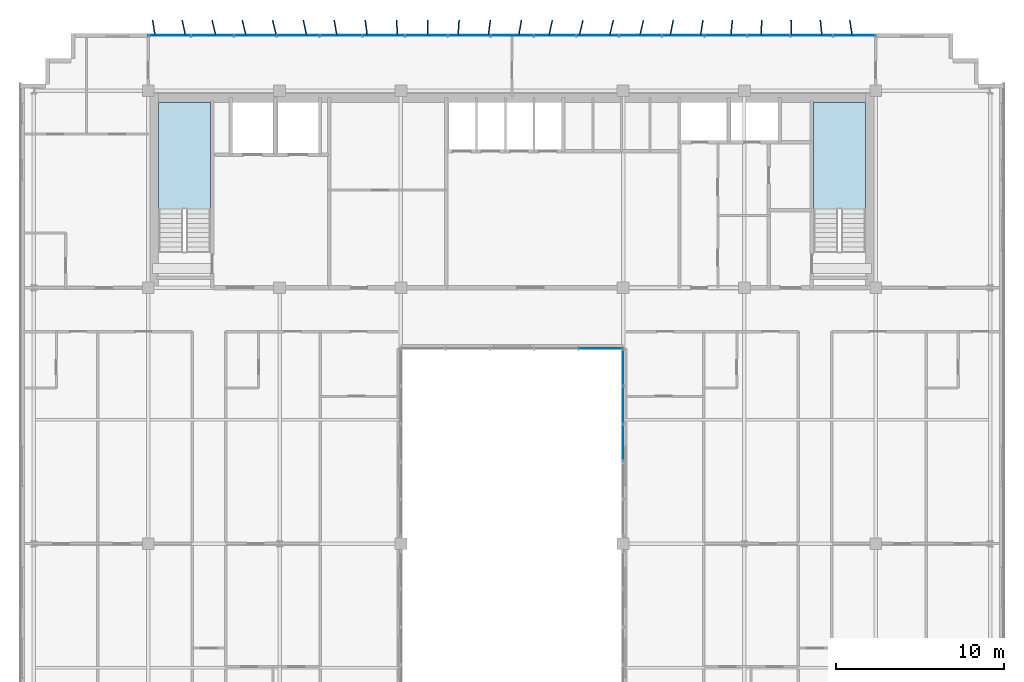
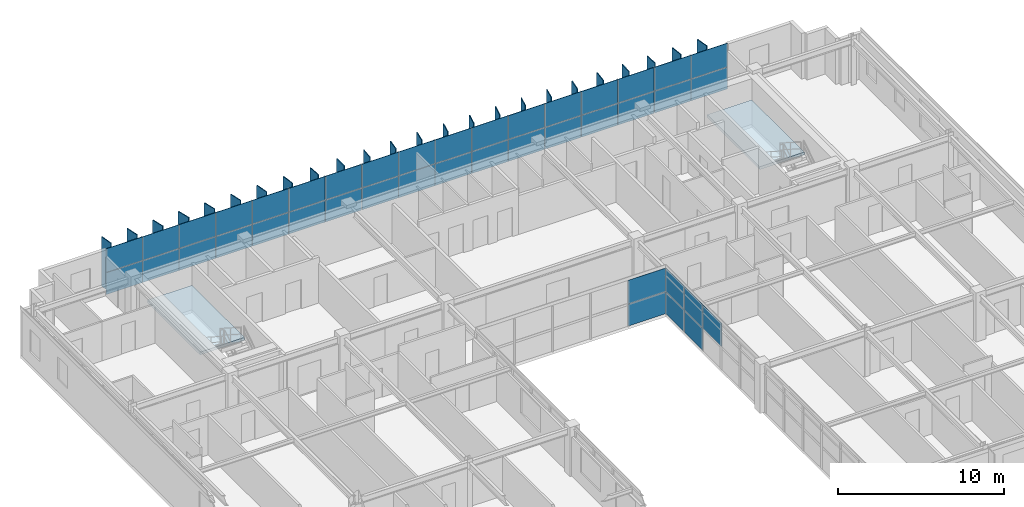
# One storey, part 26 of 34: 65 plates, 2 slabs, 5 elements without a shape of their own.
"""IFC4 building model written with IfcOpenShell, lengths in metres."""

from ifc_helpers import new_model, si_unit, direction, frame, origin, origin_2d, place, context, subcontext, project, spatial, polyline, rectangle, outline, extrude, source, transform, mapped, material, layer, layer_set, type_object, element, aggregate, save


model = new_model("IFC4")

# Units and contexts
model_context = context("Model", 3, precision=1e-05, world=origin(), true_north=direction((0.0, 1.0)))
body_context = subcontext(model_context, "Body", "Model", "MODEL_VIEW")
ifc_project = project(units=[si_unit("LENGTHUNIT", "METRE"), si_unit("AREAUNIT", "SQUARE_METRE"), si_unit("VOLUMEUNIT", "CUBIC_METRE"), si_unit("PLANEANGLEUNIT", "RADIAN"), si_unit("MASSUNIT", "GRAM", prefix="KILO")], contexts=[model_context])

# Site, building, storey
site_placement = place(None, origin())
site = spatial("IfcSite", under=ifc_project, at=site_placement, CompositionType="ELEMENT")
building_placement = place(site_placement, origin())
building = spatial("IfcBuilding", under=site, at=building_placement, Name="Trelvane Seafront Commons", CompositionType="ELEMENT")
storey_placement = place(building_placement, frame((0.0, 0.0, 197.699951171875)))
storey = spatial("IfcBuildingStorey", under=building, at=storey_placement, Name="L51", CompositionType="ELEMENT", Elevation=197.699951171875)

# Stair, slab
ifc_material_1 = material(Name="Concrete C40/50", Category="concrete")
stair_type_1 = type_object("IfcStairType", Name="ARCH-STR-ST-1-R20-180", PredefinedType="HALF_TURN_STAIR", material=ifc_material_1)
stair_1_placement = place(storey_placement, origin())
stair_1 = element("IfcStair", 1, at=stair_1_placement, inside=storey, type_object=stair_type_1, Name="L51 West Protected Firefighting Exit Stair ST-1", PredefinedType="HALF_TURN_STAIR")
ifc_layer_1 = layer(ifc_material_1, 0.199951171875, Name="ARCH-LND-200")
ifc_layer_set_1 = layer_set([ifc_layer_1], Name="Concrete C40/50")
slab_type = type_object("IfcSlabType", Name="ARCH-LND-200", PredefinedType="LANDING", material=ifc_layer_set_1)
slab_1_placement = place(storey_placement, frame((0.0, 0.0, 1.60009765625)))
slab_1 = element("IfcSlab", 2, at=slab_1_placement, type_object=slab_type, Name="ST-1 landing 1", PredefinedType="LANDING", context=body_context, shape_type="SweptSolid", body=[
    extrude(outline(polyline([(19.300048828125, 38.070068359375), (19.300048828125, 44.39990234375), (16.199951171875, 44.39990234375), (16.199951171875, 38.070068359375), (19.300048828125, 38.070068359375)])), origin(), (0.0, 0.0, 1.0), 0.199951171875),
])
aggregate(stair_1, [slab_1])

stair_type_2 = type_object("IfcStairType", Name="ARCH-STR-ST-2-R20-180", PredefinedType="HALF_TURN_STAIR", material=ifc_material_1)
stair_2_placement = place(storey_placement, origin())
stair_2 = element("IfcStair", 3, at=stair_2_placement, inside=storey, type_object=stair_type_2, Name="L51 East Protected Firefighting Exit Stair ST-2", PredefinedType="HALF_TURN_STAIR")
slab_2_placement = place(storey_placement, frame((0.0, 0.0, 1.60009765625)))
slab_2 = element("IfcSlab", 4, at=slab_2_placement, type_object=slab_type, Name="ST-2 landing 1", PredefinedType="LANDING", context=body_context, shape_type="SweptSolid", body=[
    extrude(outline(polyline([(58.199951171875, 38.070068359375), (58.199951171875, 44.39990234375), (55.10009765625, 44.39990234375), (55.10009765625, 38.070068359375), (58.199951171875, 38.070068359375)])), origin(), (0.0, 0.0, 1.0), 0.199951171875),
])
aggregate(stair_2, [slab_2])

# Plates
ifc_material_2 = material(Name="Anodised pale-silver aluminium", Category="aluminium")
ifc_layer_2 = layer(ifc_material_2, 0.06005859375, Name="ARCH-PLATE-FIN900")
ifc_layer_set_2 = layer_set([ifc_layer_2], Name="Anodised pale-silver aluminium")
plate_type_1 = type_object("IfcPlateType", Name="ARCH-PLATE-FIN900", PredefinedType="USERDEFINED", material=ifc_layer_set_2)
shared_shape_1 = source(origin(), body_context, "Body", "SweptSolid", [
    extrude(rectangle(XDim=0.89990234375, YDim=0.06005859375, at=origin_2d()), origin(), (0.0, 0.0, 1.0), 3.639892578125),
])
for number, where, z_axis, x_axis, name in (
    (5, (15.929931640625, 48.844482421875, -0.02001953125), (0.0, 0.0, 1.0), (-0.155887983416, 0.98777473982, 0.0), "FIN-L51-01393"),
    (6, (17.7099609375, 48.8408203125, -0.02001953125), (0.0, 0.0, 1.0), (-0.200004120697, 0.97979505597, 0.0), "FIN-L51-01394"),
    (7, (19.496826171875, 48.837890625, -0.02001953125), (0.0, 0.0, 1.0), (-0.229230970421, 0.973372057437, 0.0), "FIN-L51-01395"),
    (8, (21.291259765625, 48.836669921875, -0.02001953125), (0.0, 0.0, 1.0), (-0.24156794104, 0.970383908493, 0.0), "FIN-L51-01396"),
    (9, (23.09375, 48.837158203125, -0.02001953125), (0.0, 0.0, 1.0), (-0.236334499359, 0.971671757546, 0.0), "FIN-L51-01397"),
    (10, (24.90380859375, 48.839599609375, -0.02001953125), (0.0, 0.0, 1.0), (-0.213882938162, 0.976859298345, 0.0), "FIN-L51-01398"),
    (11, (26.720947265625, 48.843017578125, -0.02001953125), (0.0, 0.0, 1.0), (-0.175559170347, 0.984468881025, 0.0), "FIN-L51-01399"),
    (12, (28.544189453125, 48.846435546875, -0.02001953125), (0.0, 0.0, 1.0), (-0.124117579895, 0.992267517538, 0.0), "FIN-L51-01400"),
    (13, (30.37158203125, 48.84912109375, -0.02001953125), (0.0, 0.0, 1.0), (-0.063001286242, 0.998013445767, 0.0), "FIN-L51-01401"),
    (14, (32.201416015625, 48.85009765625, -0.02001953125), (0.0, 0.0, 1.0), (0.003000216483, 0.99999549934, 0.0), "FIN-L51-01402"),
    (15, (34.031005859375, 48.84912109375, -0.02001953125), (0.0, 0.0, 1.0), (0.06877621347, 0.997632112785, 0.0), "FIN-L51-01403"),
    (16, (35.858154296875, 48.84619140625, -0.02001953125), (0.0, 0.0, 1.0), (0.1291071329, 0.991630651117, 0.0), "FIN-L51-01404"),
    (17, (37.680908203125, 48.8427734375, -0.02001953125), (0.0, 0.0, 1.0), (0.179657314731, 0.983729256078, 0.0), "FIN-L51-01405"),
    (18, (39.49755859375, 48.83935546875, -0.02001953125), (0.0, 0.0, 1.0), (0.216565705023, 0.976268044856, 0.0), "FIN-L51-01406"),
    (19, (41.306884765625, 48.837158203125, -0.02001953125), (0.0, 0.0, 1.0), (0.237565523369, 0.971371516005, 0.0), "FIN-L51-01407"),
    (20, (43.1083984375, 48.836669921875, -0.02001953125), (0.0, 0.0, 1.0), (0.241124182271, 0.97049427032, 0.0), "FIN-L51-01408"),
    (21, (44.902099609375, 48.83837890625, -0.02001953125), (0.0, 0.0, 1.0), (0.227212239699, 0.973845263957, 0.0), "FIN-L51-01409"),
    (22, (46.6884765625, 48.84130859375, -0.02001953125), (0.0, 0.0, 1.0), (0.196565666444, 0.980490662258, 0.0), "FIN-L51-01410"),
    (23, (48.468017578125, 48.8447265625, -0.02001953125), (0.0, 0.0, 1.0), (0.151338455909, 0.988482003763, 0.0), "FIN-L51-01411"),
    (24, (50.242431640625, 48.847900390625, -0.02001953125), (0.0, 0.0, 1.0), (0.094441924045, 0.995530372707, 0.0), "FIN-L51-01412"),
    (25, (52.013671875, 48.849853515625, -0.02001953125), (0.0, 0.0, 1.0), (0.030332659768, 0.999539859011, 0.0), "FIN-L51-01413"),
    (26, (53.78369140625, 48.849609375, -0.02001953125), (0.0, 0.0, 1.0), (-0.036223363622, 0.999343718611, 0.0), "FIN-L51-01414"),
    (27, (55.55517578125, 48.84765625, -0.02001953125), (0.0, 0.0, 1.0), (-0.099889370905, 0.994998549537, 0.0), "FIN-L51-01415"),
    (28, (57.329833984375, 48.844482421875, -0.02001953125), (0.0, 0.0, 1.0), (-0.155887983416, 0.98777473982, 0.0), "FIN-L51-01416"),
):
    element("IfcPlate", number, at=place(storey_placement, frame(where, z_axis=z_axis, x_axis=x_axis)), inside=storey, type_object=plate_type_1, Name=name, ObjectType="FIN", PredefinedType="USERDEFINED", context=body_context, shape_type="MappedRepresentation", body=[
        mapped(shared_shape_1, transform((0.0, 0.0, 0.0), x_axis=(1.0, 0.0, 0.0), y_axis=(0.0, 1.0, 0.0), z_axis=(0.0, 0.0, 1.0), scale=1.0)),
    ])

# Curtain wall, plates
curtain_wall_type_1 = type_object("IfcCurtainWallType", Name="ARCH-CW5-UPTOWER", PredefinedType="NOTDEFINED", material=ifc_material_2)
curtain_wall_1_placement = place(storey_placement, origin())
curtain_wall_1 = element("IfcCurtainWall", 29, at=curtain_wall_1_placement, inside=storey, type_object=curtain_wall_type_1, Name="CW-L51-0084", PredefinedType="NOTDEFINED")
ifc_material_3 = material(Name="Low-E coastal double glazing", Category="glass")
ifc_layer_3 = layer(ifc_material_3, 0.033935546875, Name="ARCH-CW-GLAZ-34")
ifc_layer_set_3 = layer_set([ifc_layer_3], Name="Low-E coastal double glazing")
plate_type_2 = type_object("IfcPlateType", Name="ARCH-CW-GLAZ-34", PredefinedType="CURTAIN_PANEL", material=ifc_layer_set_3)
shared_shape_2 = source(origin(), body_context, "Body", "SweptSolid", [
    extrude(rectangle(XDim=2.51708984375, YDim=0.033935546875, at=origin_2d()), origin(), (0.0, 0.0, 1.0), 1.594970703125),
])
plate_1_placement = place(storey_placement, frame((16.87060546875, 48.3701171875, 0.0), z_axis=(0.0, 0.0, 1.0), x_axis=(1.0, 0.0, 0.0)))
plate_1 = element("IfcPlate", 30, at=plate_1_placement, type_object=plate_type_2, Name="CW-L51-0084-P00-1", PredefinedType="CURTAIN_PANEL", context=body_context, shape_type="MappedRepresentation", body=[
    mapped(shared_shape_2, transform((0.0, 0.0, 0.0), x_axis=(1.0, 0.0, 0.0), y_axis=(0.0, 1.0, 0.0), z_axis=(0.0, 0.0, 1.0), scale=1.0)),
])
plate_2_placement = place(storey_placement, frame((19.411865234375, 48.3701171875, 0.0), z_axis=(0.0, 0.0, 1.0), x_axis=(1.0, 0.0, 0.0)))
plate_2 = element("IfcPlate", 31, at=plate_2_placement, type_object=plate_type_2, Name="CW-L51-0084-P01-1", PredefinedType="CURTAIN_PANEL", context=body_context, shape_type="MappedRepresentation", body=[
    mapped(shared_shape_2, transform((0.0, 0.0, 0.0), x_axis=(1.0, 0.0, 0.0), y_axis=(0.0, 1.0, 0.0), z_axis=(0.0, 0.0, 1.0), scale=1.0)),
])
plate_3_placement = place(storey_placement, frame((21.952880859375, 48.3701171875, 0.0), z_axis=(0.0, 0.0, 1.0), x_axis=(1.0, 0.0, 0.0)))
plate_3 = element("IfcPlate", 32, at=plate_3_placement, type_object=plate_type_2, Name="CW-L51-0084-P02-1", PredefinedType="CURTAIN_PANEL", context=body_context, shape_type="MappedRepresentation", body=[
    mapped(shared_shape_2, transform((0.0, 0.0, 0.0), x_axis=(1.0, 0.0, 0.0), y_axis=(0.0, 1.0, 0.0), z_axis=(0.0, 0.0, 1.0), scale=1.0)),
])
plate_4_placement = place(storey_placement, frame((24.494140625, 48.3701171875, 0.0), z_axis=(0.0, 0.0, 1.0), x_axis=(1.0, 0.0, 0.0)))
plate_4 = element("IfcPlate", 33, at=plate_4_placement, type_object=plate_type_2, Name="CW-L51-0084-P03-1", PredefinedType="CURTAIN_PANEL", context=body_context, shape_type="MappedRepresentation", body=[
    mapped(shared_shape_2, transform((0.0, 0.0, 0.0), x_axis=(1.0, 0.0, 0.0), y_axis=(0.0, 1.0, 0.0), z_axis=(0.0, 0.0, 1.0), scale=1.0)),
])
plate_5_placement = place(storey_placement, frame((27.035400390625, 48.3701171875, 0.0), z_axis=(0.0, 0.0, 1.0), x_axis=(1.0, 0.0, 0.0)))
plate_5 = element("IfcPlate", 34, at=plate_5_placement, type_object=plate_type_2, Name="CW-L51-0084-P04-1", PredefinedType="CURTAIN_PANEL", context=body_context, shape_type="MappedRepresentation", body=[
    mapped(shared_shape_2, transform((0.0, 0.0, 0.0), x_axis=(1.0, 0.0, 0.0), y_axis=(0.0, 1.0, 0.0), z_axis=(0.0, 0.0, 1.0), scale=1.0)),
])
plate_6_placement = place(storey_placement, frame((29.576416015625, 48.3701171875, 0.0), z_axis=(0.0, 0.0, 1.0), x_axis=(1.0, 0.0, 0.0)))
plate_6 = element("IfcPlate", 35, at=plate_6_placement, type_object=plate_type_2, Name="CW-L51-0084-P05-1", PredefinedType="CURTAIN_PANEL", context=body_context, shape_type="MappedRepresentation", body=[
    mapped(shared_shape_2, transform((0.0, 0.0, 0.0), x_axis=(1.0, 0.0, 0.0), y_axis=(0.0, 1.0, 0.0), z_axis=(0.0, 0.0, 1.0), scale=1.0)),
])
plate_7_placement = place(storey_placement, frame((32.11767578125, 48.3701171875, 0.0), z_axis=(0.0, 0.0, 1.0), x_axis=(1.0, 0.0, 0.0)))
plate_7 = element("IfcPlate", 36, at=plate_7_placement, type_object=plate_type_2, Name="CW-L51-0084-P06-1", PredefinedType="CURTAIN_PANEL", context=body_context, shape_type="MappedRepresentation", body=[
    mapped(shared_shape_2, transform((0.0, 0.0, 0.0), x_axis=(1.0, 0.0, 0.0), y_axis=(0.0, 1.0, 0.0), z_axis=(0.0, 0.0, 1.0), scale=1.0)),
])
plate_8_placement = place(storey_placement, frame((34.65869140625, 48.3701171875, 0.0), z_axis=(0.0, 0.0, 1.0), x_axis=(1.0, 0.0, 0.0)))
plate_8 = element("IfcPlate", 37, at=plate_8_placement, type_object=plate_type_2, Name="CW-L51-0084-P07-1", PredefinedType="CURTAIN_PANEL", context=body_context, shape_type="MappedRepresentation", body=[
    mapped(shared_shape_2, transform((0.0, 0.0, 0.0), x_axis=(1.0, 0.0, 0.0), y_axis=(0.0, 1.0, 0.0), z_axis=(0.0, 0.0, 1.0), scale=1.0)),
])
plate_9_placement = place(storey_placement, frame((37.199951171875, 48.3701171875, 0.0), z_axis=(0.0, 0.0, 1.0), x_axis=(1.0, 0.0, 0.0)))
plate_9 = element("IfcPlate", 38, at=plate_9_placement, type_object=plate_type_2, Name="CW-L51-0084-P08-1", PredefinedType="CURTAIN_PANEL", context=body_context, shape_type="MappedRepresentation", body=[
    mapped(shared_shape_2, transform((0.0, 0.0, 0.0), x_axis=(1.0, 0.0, 0.0), y_axis=(0.0, 1.0, 0.0), z_axis=(0.0, 0.0, 1.0), scale=1.0)),
])
plate_10_placement = place(storey_placement, frame((39.7412109375, 48.3701171875, 0.0), z_axis=(0.0, 0.0, 1.0), x_axis=(1.0, 0.0, 0.0)))
plate_10 = element("IfcPlate", 39, at=plate_10_placement, type_object=plate_type_2, Name="CW-L51-0084-P09-1", PredefinedType="CURTAIN_PANEL", context=body_context, shape_type="MappedRepresentation", body=[
    mapped(shared_shape_2, transform((0.0, 0.0, 0.0), x_axis=(1.0, 0.0, 0.0), y_axis=(0.0, 1.0, 0.0), z_axis=(0.0, 0.0, 1.0), scale=1.0)),
])
plate_11_placement = place(storey_placement, frame((42.282470703125, 48.3701171875, 0.0), z_axis=(0.0, 0.0, 1.0), x_axis=(1.0, 0.0, 0.0)))
plate_11 = element("IfcPlate", 40, at=plate_11_placement, type_object=plate_type_2, Name="CW-L51-0084-P10-1", PredefinedType="CURTAIN_PANEL", context=body_context, shape_type="MappedRepresentation", body=[
    mapped(shared_shape_2, transform((0.0, 0.0, 0.0), x_axis=(1.0, 0.0, 0.0), y_axis=(0.0, 1.0, 0.0), z_axis=(0.0, 0.0, 1.0), scale=1.0)),
])
plate_12_placement = place(storey_placement, frame((44.823486328125, 48.3701171875, 0.0), z_axis=(0.0, 0.0, 1.0), x_axis=(1.0, 0.0, 0.0)))
plate_12 = element("IfcPlate", 41, at=plate_12_placement, type_object=plate_type_2, Name="CW-L51-0084-P11-1", PredefinedType="CURTAIN_PANEL", context=body_context, shape_type="MappedRepresentation", body=[
    mapped(shared_shape_2, transform((0.0, 0.0, 0.0), x_axis=(1.0, 0.0, 0.0), y_axis=(0.0, 1.0, 0.0), z_axis=(0.0, 0.0, 1.0), scale=1.0)),
])
plate_13_placement = place(storey_placement, frame((47.36474609375, 48.3701171875, 0.0), z_axis=(0.0, 0.0, 1.0), x_axis=(1.0, 0.0, 0.0)))
plate_13 = element("IfcPlate", 42, at=plate_13_placement, type_object=plate_type_2, Name="CW-L51-0084-P12-1", PredefinedType="CURTAIN_PANEL", context=body_context, shape_type="MappedRepresentation", body=[
    mapped(shared_shape_2, transform((0.0, 0.0, 0.0), x_axis=(1.0, 0.0, 0.0), y_axis=(0.0, 1.0, 0.0), z_axis=(0.0, 0.0, 1.0), scale=1.0)),
])
plate_14_placement = place(storey_placement, frame((49.906005859375, 48.3701171875, 0.0), z_axis=(0.0, 0.0, 1.0), x_axis=(1.0, 0.0, 0.0)))
plate_14 = element("IfcPlate", 43, at=plate_14_placement, type_object=plate_type_2, Name="CW-L51-0084-P13-1", PredefinedType="CURTAIN_PANEL", context=body_context, shape_type="MappedRepresentation", body=[
    mapped(shared_shape_2, transform((0.0, 0.0, 0.0), x_axis=(1.0, 0.0, 0.0), y_axis=(0.0, 1.0, 0.0), z_axis=(0.0, 0.0, 1.0), scale=1.0)),
])
plate_15_placement = place(storey_placement, frame((52.447021484375, 48.3701171875, 0.0), z_axis=(0.0, 0.0, 1.0), x_axis=(1.0, 0.0, 0.0)))
plate_15 = element("IfcPlate", 44, at=plate_15_placement, type_object=plate_type_2, Name="CW-L51-0084-P14-1", PredefinedType="CURTAIN_PANEL", context=body_context, shape_type="MappedRepresentation", body=[
    mapped(shared_shape_2, transform((0.0, 0.0, 0.0), x_axis=(1.0, 0.0, 0.0), y_axis=(0.0, 1.0, 0.0), z_axis=(0.0, 0.0, 1.0), scale=1.0)),
])
plate_16_placement = place(storey_placement, frame((54.98828125, 48.3701171875, 0.0), z_axis=(0.0, 0.0, 1.0), x_axis=(1.0, 0.0, 0.0)))
plate_16 = element("IfcPlate", 45, at=plate_16_placement, type_object=plate_type_2, Name="CW-L51-0084-P15-1", PredefinedType="CURTAIN_PANEL", context=body_context, shape_type="MappedRepresentation", body=[
    mapped(shared_shape_2, transform((0.0, 0.0, 0.0), x_axis=(1.0, 0.0, 0.0), y_axis=(0.0, 1.0, 0.0), z_axis=(0.0, 0.0, 1.0), scale=1.0)),
])
plate_17_placement = place(storey_placement, frame((57.529296875, 48.3701171875, 0.0), z_axis=(0.0, 0.0, 1.0), x_axis=(1.0, 0.0, 0.0)))
plate_17 = element("IfcPlate", 46, at=plate_17_placement, type_object=plate_type_2, Name="CW-L51-0084-P16-1", PredefinedType="CURTAIN_PANEL", context=body_context, shape_type="MappedRepresentation", body=[
    mapped(shared_shape_2, transform((0.0, 0.0, 0.0), x_axis=(1.0, 0.0, 0.0), y_axis=(0.0, 1.0, 0.0), z_axis=(0.0, 0.0, 1.0), scale=1.0)),
])
shared_shape_3 = source(origin(), body_context, "Body", "SweptSolid", [
    extrude(rectangle(XDim=2.51708984375, YDim=0.033935546875, at=origin_2d()), origin(), (0.0, 0.0, 1.0), 1.72900390625),
])
plate_18_placement = place(storey_placement, frame((16.87060546875, 48.3701171875, 1.631103515625), z_axis=(0.0, 0.0, 1.0), x_axis=(1.0, 0.0, 0.0)))
plate_18 = element("IfcPlate", 47, at=plate_18_placement, type_object=plate_type_2, Name="CW-L51-0084-P00-2", PredefinedType="CURTAIN_PANEL", context=body_context, shape_type="MappedRepresentation", body=[
    mapped(shared_shape_3, transform((0.0, 0.0, 0.0), x_axis=(1.0, 0.0, 0.0), y_axis=(0.0, 1.0, 0.0), z_axis=(0.0, 0.0, 1.0), scale=1.0)),
])
plate_19_placement = place(storey_placement, frame((19.411865234375, 48.3701171875, 1.631103515625), z_axis=(0.0, 0.0, 1.0), x_axis=(1.0, 0.0, 0.0)))
plate_19 = element("IfcPlate", 48, at=plate_19_placement, type_object=plate_type_2, Name="CW-L51-0084-P01-2", PredefinedType="CURTAIN_PANEL", context=body_context, shape_type="MappedRepresentation", body=[
    mapped(shared_shape_3, transform((0.0, 0.0, 0.0), x_axis=(1.0, 0.0, 0.0), y_axis=(0.0, 1.0, 0.0), z_axis=(0.0, 0.0, 1.0), scale=1.0)),
])
plate_20_placement = place(storey_placement, frame((21.952880859375, 48.3701171875, 1.631103515625), z_axis=(0.0, 0.0, 1.0), x_axis=(1.0, 0.0, 0.0)))
plate_20 = element("IfcPlate", 49, at=plate_20_placement, type_object=plate_type_2, Name="CW-L51-0084-P02-2", PredefinedType="CURTAIN_PANEL", context=body_context, shape_type="MappedRepresentation", body=[
    mapped(shared_shape_3, transform((0.0, 0.0, 0.0), x_axis=(1.0, 0.0, 0.0), y_axis=(0.0, 1.0, 0.0), z_axis=(0.0, 0.0, 1.0), scale=1.0)),
])
plate_21_placement = place(storey_placement, frame((24.494140625, 48.3701171875, 1.631103515625), z_axis=(0.0, 0.0, 1.0), x_axis=(1.0, 0.0, 0.0)))
plate_21 = element("IfcPlate", 50, at=plate_21_placement, type_object=plate_type_2, Name="CW-L51-0084-P03-2", PredefinedType="CURTAIN_PANEL", context=body_context, shape_type="MappedRepresentation", body=[
    mapped(shared_shape_3, transform((0.0, 0.0, 0.0), x_axis=(1.0, 0.0, 0.0), y_axis=(0.0, 1.0, 0.0), z_axis=(0.0, 0.0, 1.0), scale=1.0)),
])
plate_22_placement = place(storey_placement, frame((27.035400390625, 48.3701171875, 1.631103515625), z_axis=(0.0, 0.0, 1.0), x_axis=(1.0, 0.0, 0.0)))
plate_22 = element("IfcPlate", 51, at=plate_22_placement, type_object=plate_type_2, Name="CW-L51-0084-P04-2", PredefinedType="CURTAIN_PANEL", context=body_context, shape_type="MappedRepresentation", body=[
    mapped(shared_shape_3, transform((0.0, 0.0, 0.0), x_axis=(1.0, 0.0, 0.0), y_axis=(0.0, 1.0, 0.0), z_axis=(0.0, 0.0, 1.0), scale=1.0)),
])
plate_23_placement = place(storey_placement, frame((29.576416015625, 48.3701171875, 1.631103515625), z_axis=(0.0, 0.0, 1.0), x_axis=(1.0, 0.0, 0.0)))
plate_23 = element("IfcPlate", 52, at=plate_23_placement, type_object=plate_type_2, Name="CW-L51-0084-P05-2", PredefinedType="CURTAIN_PANEL", context=body_context, shape_type="MappedRepresentation", body=[
    mapped(shared_shape_3, transform((0.0, 0.0, 0.0), x_axis=(1.0, 0.0, 0.0), y_axis=(0.0, 1.0, 0.0), z_axis=(0.0, 0.0, 1.0), scale=1.0)),
])
plate_24_placement = place(storey_placement, frame((32.11767578125, 48.3701171875, 1.631103515625), z_axis=(0.0, 0.0, 1.0), x_axis=(1.0, 0.0, 0.0)))
plate_24 = element("IfcPlate", 53, at=plate_24_placement, type_object=plate_type_2, Name="CW-L51-0084-P06-2", PredefinedType="CURTAIN_PANEL", context=body_context, shape_type="MappedRepresentation", body=[
    mapped(shared_shape_3, transform((0.0, 0.0, 0.0), x_axis=(1.0, 0.0, 0.0), y_axis=(0.0, 1.0, 0.0), z_axis=(0.0, 0.0, 1.0), scale=1.0)),
])
plate_25_placement = place(storey_placement, frame((34.65869140625, 48.3701171875, 1.631103515625), z_axis=(0.0, 0.0, 1.0), x_axis=(1.0, 0.0, 0.0)))
plate_25 = element("IfcPlate", 54, at=plate_25_placement, type_object=plate_type_2, Name="CW-L51-0084-P07-2", PredefinedType="CURTAIN_PANEL", context=body_context, shape_type="MappedRepresentation", body=[
    mapped(shared_shape_3, transform((0.0, 0.0, 0.0), x_axis=(1.0, 0.0, 0.0), y_axis=(0.0, 1.0, 0.0), z_axis=(0.0, 0.0, 1.0), scale=1.0)),
])
plate_26_placement = place(storey_placement, frame((37.199951171875, 48.3701171875, 1.631103515625), z_axis=(0.0, 0.0, 1.0), x_axis=(1.0, 0.0, 0.0)))
plate_26 = element("IfcPlate", 55, at=plate_26_placement, type_object=plate_type_2, Name="CW-L51-0084-P08-2", PredefinedType="CURTAIN_PANEL", context=body_context, shape_type="MappedRepresentation", body=[
    mapped(shared_shape_3, transform((0.0, 0.0, 0.0), x_axis=(1.0, 0.0, 0.0), y_axis=(0.0, 1.0, 0.0), z_axis=(0.0, 0.0, 1.0), scale=1.0)),
])
plate_27_placement = place(storey_placement, frame((39.7412109375, 48.3701171875, 1.631103515625), z_axis=(0.0, 0.0, 1.0), x_axis=(1.0, 0.0, 0.0)))
plate_27 = element("IfcPlate", 56, at=plate_27_placement, type_object=plate_type_2, Name="CW-L51-0084-P09-2", PredefinedType="CURTAIN_PANEL", context=body_context, shape_type="MappedRepresentation", body=[
    mapped(shared_shape_3, transform((0.0, 0.0, 0.0), x_axis=(1.0, 0.0, 0.0), y_axis=(0.0, 1.0, 0.0), z_axis=(0.0, 0.0, 1.0), scale=1.0)),
])
plate_28_placement = place(storey_placement, frame((42.282470703125, 48.3701171875, 1.631103515625), z_axis=(0.0, 0.0, 1.0), x_axis=(1.0, 0.0, 0.0)))
plate_28 = element("IfcPlate", 57, at=plate_28_placement, type_object=plate_type_2, Name="CW-L51-0084-P10-2", PredefinedType="CURTAIN_PANEL", context=body_context, shape_type="MappedRepresentation", body=[
    mapped(shared_shape_3, transform((0.0, 0.0, 0.0), x_axis=(1.0, 0.0, 0.0), y_axis=(0.0, 1.0, 0.0), z_axis=(0.0, 0.0, 1.0), scale=1.0)),
])
plate_29_placement = place(storey_placement, frame((44.823486328125, 48.3701171875, 1.631103515625), z_axis=(0.0, 0.0, 1.0), x_axis=(1.0, 0.0, 0.0)))
plate_29 = element("IfcPlate", 58, at=plate_29_placement, type_object=plate_type_2, Name="CW-L51-0084-P11-2", PredefinedType="CURTAIN_PANEL", context=body_context, shape_type="MappedRepresentation", body=[
    mapped(shared_shape_3, transform((0.0, 0.0, 0.0), x_axis=(1.0, 0.0, 0.0), y_axis=(0.0, 1.0, 0.0), z_axis=(0.0, 0.0, 1.0), scale=1.0)),
])
plate_30_placement = place(storey_placement, frame((47.36474609375, 48.3701171875, 1.631103515625), z_axis=(0.0, 0.0, 1.0), x_axis=(1.0, 0.0, 0.0)))
plate_30 = element("IfcPlate", 59, at=plate_30_placement, type_object=plate_type_2, Name="CW-L51-0084-P12-2", PredefinedType="CURTAIN_PANEL", context=body_context, shape_type="MappedRepresentation", body=[
    mapped(shared_shape_3, transform((0.0, 0.0, 0.0), x_axis=(1.0, 0.0, 0.0), y_axis=(0.0, 1.0, 0.0), z_axis=(0.0, 0.0, 1.0), scale=1.0)),
])
plate_31_placement = place(storey_placement, frame((49.906005859375, 48.3701171875, 1.631103515625), z_axis=(0.0, 0.0, 1.0), x_axis=(1.0, 0.0, 0.0)))
plate_31 = element("IfcPlate", 60, at=plate_31_placement, type_object=plate_type_2, Name="CW-L51-0084-P13-2", PredefinedType="CURTAIN_PANEL", context=body_context, shape_type="MappedRepresentation", body=[
    mapped(shared_shape_3, transform((0.0, 0.0, 0.0), x_axis=(1.0, 0.0, 0.0), y_axis=(0.0, 1.0, 0.0), z_axis=(0.0, 0.0, 1.0), scale=1.0)),
])
plate_32_placement = place(storey_placement, frame((52.447021484375, 48.3701171875, 1.631103515625), z_axis=(0.0, 0.0, 1.0), x_axis=(1.0, 0.0, 0.0)))
plate_32 = element("IfcPlate", 61, at=plate_32_placement, type_object=plate_type_2, Name="CW-L51-0084-P14-2", PredefinedType="CURTAIN_PANEL", context=body_context, shape_type="MappedRepresentation", body=[
    mapped(shared_shape_3, transform((0.0, 0.0, 0.0), x_axis=(1.0, 0.0, 0.0), y_axis=(0.0, 1.0, 0.0), z_axis=(0.0, 0.0, 1.0), scale=1.0)),
])
plate_33_placement = place(storey_placement, frame((54.98828125, 48.3701171875, 1.631103515625), z_axis=(0.0, 0.0, 1.0), x_axis=(1.0, 0.0, 0.0)))
plate_33 = element("IfcPlate", 62, at=plate_33_placement, type_object=plate_type_2, Name="CW-L51-0084-P15-2", PredefinedType="CURTAIN_PANEL", context=body_context, shape_type="MappedRepresentation", body=[
    mapped(shared_shape_3, transform((0.0, 0.0, 0.0), x_axis=(1.0, 0.0, 0.0), y_axis=(0.0, 1.0, 0.0), z_axis=(0.0, 0.0, 1.0), scale=1.0)),
])
plate_34_placement = place(storey_placement, frame((57.529296875, 48.3701171875, 1.631103515625), z_axis=(0.0, 0.0, 1.0), x_axis=(1.0, 0.0, 0.0)))
plate_34 = element("IfcPlate", 63, at=plate_34_placement, type_object=plate_type_2, Name="CW-L51-0084-P16-2", PredefinedType="CURTAIN_PANEL", context=body_context, shape_type="MappedRepresentation", body=[
    mapped(shared_shape_3, transform((0.0, 0.0, 0.0), x_axis=(1.0, 0.0, 0.0), y_axis=(0.0, 1.0, 0.0), z_axis=(0.0, 0.0, 1.0), scale=1.0)),
])
aggregate(curtain_wall_1, [plate_1, plate_18, plate_2, plate_19, plate_3, plate_20, plate_4, plate_21, plate_5, plate_22, plate_6, plate_23, plate_7, plate_24, plate_8, plate_25, plate_9, plate_26, plate_10, plate_27, plate_11, plate_28, plate_12, plate_29, plate_13, plate_30, plate_14, plate_31, plate_15, plate_32, plate_16, plate_33, plate_17, plate_34])

curtain_wall_type_2 = type_object("IfcCurtainWallType", Name="ARCH-CW3-PORTAL", PredefinedType="NOTDEFINED", material=ifc_material_2)
curtain_wall_2_placement = place(storey_placement, origin())
curtain_wall_2 = element("IfcCurtainWall", 64, at=curtain_wall_2_placement, inside=storey, type_object=curtain_wall_type_2, Name="CW-L51-VP-0088", PredefinedType="NOTDEFINED")
shared_shape_4 = source(origin(), body_context, "Body", "SweptSolid", [
    extrude(rectangle(XDim=2.216064453125, YDim=0.0380859375, at=origin_2d()), origin(), (0.0, 0.0, 1.0), 1.594970703125),
])
plate_35_placement = place(storey_placement, frame((43.800048828125, 28.679931640625, 0.0), z_axis=(0.0, 0.0, 1.0), x_axis=(0.0, -1.0, 0.0)))
plate_35 = element("IfcPlate", 65, at=plate_35_placement, type_object=plate_type_2, Name="CW-L51-VP-0088-P00-1", PredefinedType="CURTAIN_PANEL", context=body_context, shape_type="MappedRepresentation", body=[
    mapped(shared_shape_4, transform((0.0, 0.0, 0.0), x_axis=(1.0, 0.0, 0.0), y_axis=(0.0, 1.0, 0.0), z_axis=(0.0, 0.0, 1.0), scale=1.0)),
])
plate_36_placement = place(storey_placement, frame((43.800048828125, 26.43994140625, 0.0), z_axis=(0.0, 0.0, 1.0), x_axis=(0.0, -1.0, 0.0)))
plate_36 = element("IfcPlate", 66, at=plate_36_placement, type_object=plate_type_2, Name="CW-L51-VP-0088-P01-1", PredefinedType="CURTAIN_PANEL", context=body_context, shape_type="MappedRepresentation", body=[
    mapped(shared_shape_4, transform((0.0, 0.0, 0.0), x_axis=(1.0, 0.0, 0.0), y_axis=(0.0, 1.0, 0.0), z_axis=(0.0, 0.0, 1.0), scale=1.0)),
])
shared_shape_5 = source(origin(), body_context, "Body", "SweptSolid", [
    extrude(rectangle(XDim=2.216064453125, YDim=0.0380859375, at=origin_2d()), origin(), (0.0, 0.0, 1.0), 1.72900390625),
])
plate_37_placement = place(storey_placement, frame((43.800048828125, 28.679931640625, 1.631103515625), z_axis=(0.0, 0.0, 1.0), x_axis=(0.0, -1.0, 0.0)))
plate_37 = element("IfcPlate", 67, at=plate_37_placement, type_object=plate_type_2, Name="CW-L51-VP-0088-P00-2", PredefinedType="CURTAIN_PANEL", context=body_context, shape_type="MappedRepresentation", body=[
    mapped(shared_shape_5, transform((0.0, 0.0, 0.0), x_axis=(1.0, 0.0, 0.0), y_axis=(0.0, 1.0, 0.0), z_axis=(0.0, 0.0, 1.0), scale=1.0)),
])
plate_38_placement = place(storey_placement, frame((43.800048828125, 26.43994140625, 1.631103515625), z_axis=(0.0, 0.0, 1.0), x_axis=(0.0, -1.0, 0.0)))
plate_38 = element("IfcPlate", 68, at=plate_38_placement, type_object=plate_type_2, Name="CW-L51-VP-0088-P01-2", PredefinedType="CURTAIN_PANEL", context=body_context, shape_type="MappedRepresentation", body=[
    mapped(shared_shape_5, transform((0.0, 0.0, 0.0), x_axis=(1.0, 0.0, 0.0), y_axis=(0.0, 1.0, 0.0), z_axis=(0.0, 0.0, 1.0), scale=1.0)),
])
plate_39_placement = place(storey_placement, frame((43.800048828125, 24.199951171875, 1.631103515625), z_axis=(0.0, 0.0, 1.0), x_axis=(0.0, -1.0, 0.0)))
plate_39 = element("IfcPlate", 69, at=plate_39_placement, type_object=plate_type_2, Name="CW-L51-VP-0088-P02-2", PredefinedType="CURTAIN_PANEL", context=body_context, shape_type="MappedRepresentation", body=[
    mapped(shared_shape_5, transform((0.0, 0.0, 0.0), x_axis=(1.0, 0.0, 0.0), y_axis=(0.0, 1.0, 0.0), z_axis=(0.0, 0.0, 1.0), scale=1.0)),
])
aggregate(curtain_wall_2, [plate_35, plate_37, plate_36, plate_38, plate_39])

curtain_wall_3_placement = place(storey_placement, origin())
curtain_wall_3 = element("IfcCurtainWall", 70, at=curtain_wall_3_placement, inside=storey, type_object=curtain_wall_type_2, Name="CW-L51-VP-0087", PredefinedType="NOTDEFINED")
shared_shape_6 = source(origin(), body_context, "Body", "SweptSolid", [
    extrude(rectangle(XDim=2.615966796875, YDim=0.0380859375, at=origin_2d()), origin(), (0.0, 0.0, 1.0), 1.594970703125),
])
plate_40_placement = place(storey_placement, frame((42.47998046875, 29.800048828125, 0.0), z_axis=(0.0, 0.0, 1.0), x_axis=(1.0, 0.0, 0.0)))
plate_40 = element("IfcPlate", 71, at=plate_40_placement, type_object=plate_type_2, Name="CW-L51-VP-0087-P04-1", PredefinedType="CURTAIN_PANEL", context=body_context, shape_type="MappedRepresentation", body=[
    mapped(shared_shape_6, transform((0.0, 0.0, 0.0), x_axis=(1.0, 0.0, 0.0), y_axis=(0.0, 1.0, 0.0), z_axis=(0.0, 0.0, 1.0), scale=1.0)),
])
shared_shape_7 = source(origin(), body_context, "Body", "SweptSolid", [
    extrude(rectangle(XDim=2.615966796875, YDim=0.0380859375, at=origin_2d()), origin(), (0.0, 0.0, 1.0), 1.72900390625),
])
plate_41_placement = place(storey_placement, frame((42.47998046875, 29.800048828125, 1.631103515625), z_axis=(0.0, 0.0, 1.0), x_axis=(1.0, 0.0, 0.0)))
plate_41 = element("IfcPlate", 72, at=plate_41_placement, type_object=plate_type_2, Name="CW-L51-VP-0087-P04-2", PredefinedType="CURTAIN_PANEL", context=body_context, shape_type="MappedRepresentation", body=[
    mapped(shared_shape_7, transform((0.0, 0.0, 0.0), x_axis=(1.0, 0.0, 0.0), y_axis=(0.0, 1.0, 0.0), z_axis=(0.0, 0.0, 1.0), scale=1.0)),
])
aggregate(curtain_wall_3, [plate_40, plate_41])

save(model, "model.ifc")
